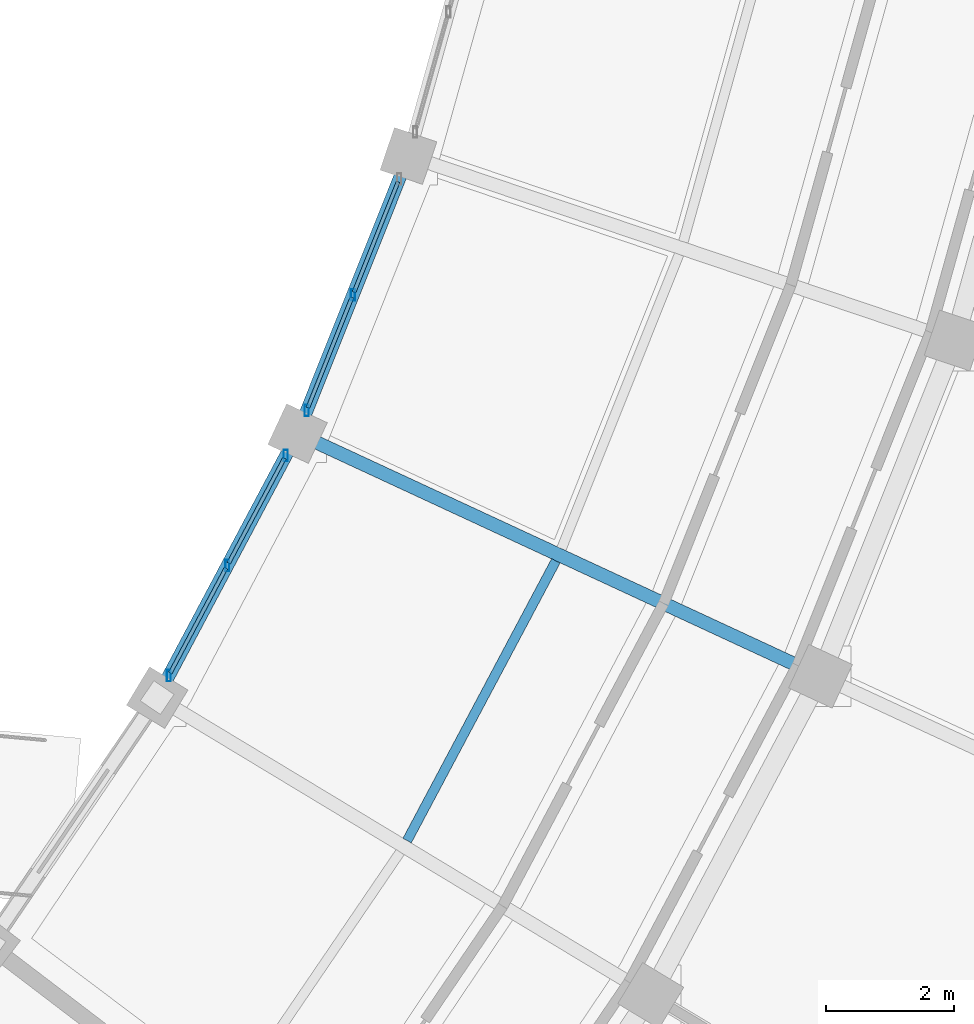
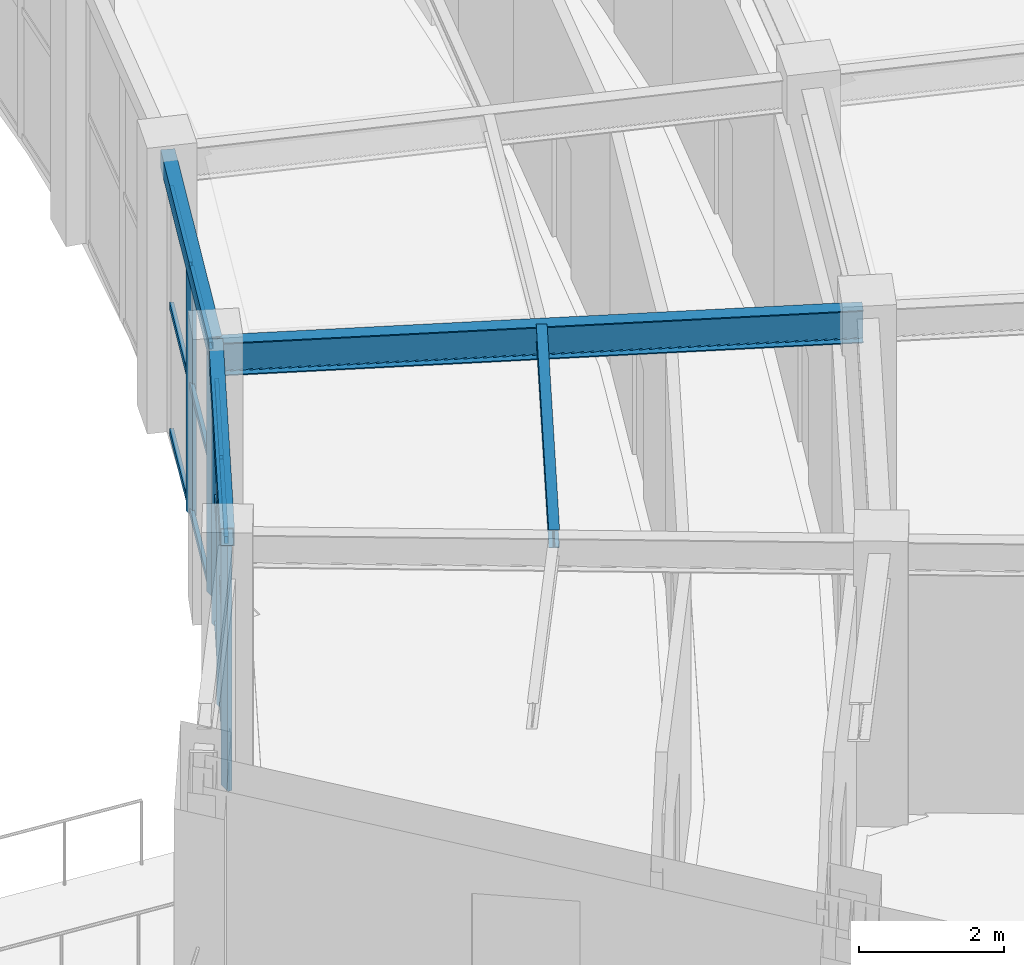
# One storey, part 55 of 100: 17 members, 4 beams, 2 elements without a shape of their own.
"""IFC4 building model written with IfcOpenShell, lengths in metres."""

from ifc_helpers import new_model, si_unit, direction, frame, origin, origin_2d, place, context, subcontext, project, spatial, hollow_rectangle, i_section, extrude, material, material_profile, profile_set, type_object, element, aggregate, save


model = new_model("IFC4")

# Units and contexts
model_context = context("Model", 3, precision=1e-05, world=origin(), true_north=direction((0.0, 1.0)))
body_context = subcontext(model_context, "Body", "Model", "MODEL_VIEW")
ifc_project = project(units=[si_unit("LENGTHUNIT", "METRE"), si_unit("AREAUNIT", "SQUARE_METRE"), si_unit("VOLUMEUNIT", "CUBIC_METRE"), si_unit("PLANEANGLEUNIT", "RADIAN"), si_unit("MASSUNIT", "GRAM", prefix="KILO")], contexts=[model_context])

# Site, building, storey
site_placement = place(None, origin())
site = spatial("IfcSite", under=ifc_project, at=site_placement, CompositionType="ELEMENT")
building_placement = place(site_placement, origin())
building = spatial("IfcBuilding", under=site, at=building_placement, Name="Tarnveldt Headland Concert Hall", CompositionType="ELEMENT")
storey_placement = place(building_placement, frame((0.0, 0.0, 4.800048828125)))
storey = spatial("IfcBuildingStorey", under=building, at=storey_placement, Name="L01", CompositionType="ELEMENT", Elevation=4.800048828125)

# Curtain wall, members
ifc_material_1 = material(Name="Marine-anodised aluminium EN AW-6063-T6", Category="aluminium")
curtain_wall_type = type_object("IfcCurtainWallType", Name="CW-C2", PredefinedType="NOTDEFINED", material=ifc_material_1)
curtain_wall_1_placement = place(storey_placement, origin())
curtain_wall_1 = element("IfcCurtainWall", 1, at=curtain_wall_1_placement, inside=storey, type_object=curtain_wall_type, Name="Curtain wall CW-L01-109", PredefinedType="NOTDEFINED")
ifc_material_profile_1 = material_profile(ifc_material_1, hollow_rectangle(XDim=0.06494140625, YDim=0.179931640625, WallThickness=0.00390625, at=origin_2d()), Name="ALU MULLION 65x180x4", Category="aluminium")
ifc_profile_set_1 = profile_set([ifc_material_profile_1], Name="Marine-anodised aluminium EN AW-6063-T6")
member_type_1 = type_object("IfcMemberType", Name="ML-180", PredefinedType="MULLION", material=ifc_profile_set_1)
member_1_placement = place(storey_placement, frame((154.498291015625, 38.126220703125, 0.0), z_axis=(0.0, 0.0, 1.0), x_axis=(1.0, 0.0, 0.0)))
member_1 = element("IfcMember", 2, at=member_1_placement, type_object=member_type_1, Name="Mullion CW-L01-109-1", PredefinedType="MULLION", context=body_context, shape_type="SweptSolid", body=[
    extrude(hollow_rectangle(XDim=0.06494140625, YDim=0.179931640625, WallThickness=0.00390625, at=origin_2d()), origin(), (0.0, 0.0, 1.0), 4.179931640625),
])
member_2_placement = place(storey_placement, frame((155.410888671875, 39.84228515625, 0.0), z_axis=(0.0, 0.0, 1.0), x_axis=(1.0, 0.0, 0.0)))
member_2 = element("IfcMember", 3, at=member_2_placement, type_object=member_type_1, Name="Mullion CW-L01-109-2", PredefinedType="MULLION", context=body_context, shape_type="SweptSolid", body=[
    extrude(hollow_rectangle(XDim=0.06494140625, YDim=0.179931640625, WallThickness=0.00390625, at=origin_2d()), origin(), (0.0, 0.0, 1.0), 4.179931640625),
])
member_3_placement = place(storey_placement, frame((156.3232421875, 41.55859375, 0.0), z_axis=(0.0, 0.0, 1.0), x_axis=(1.0, 0.0, 0.0)))
member_3 = element("IfcMember", 4, at=member_3_placement, type_object=member_type_1, Name="Mullion CW-L01-109-3", PredefinedType="MULLION", context=body_context, shape_type="SweptSolid", body=[
    extrude(hollow_rectangle(XDim=0.06494140625, YDim=0.179931640625, WallThickness=0.00390625, at=origin_2d()), origin(), (0.0, 0.0, 1.0), 4.179931640625),
])

curtain_wall_2_placement = place(storey_placement, origin())
curtain_wall_2 = element("IfcCurtainWall", 5, at=curtain_wall_2_placement, inside=storey, type_object=curtain_wall_type, Name="Curtain wall CW-L01-110", PredefinedType="NOTDEFINED")
member_4_placement = place(storey_placement, frame((156.651123046875, 42.26513671875, 0.0), z_axis=(0.0, 0.0, 1.0), x_axis=(1.0, 0.0, 0.0)))
member_4 = element("IfcMember", 6, at=member_4_placement, type_object=member_type_1, Name="Mullion CW-L01-110-1", PredefinedType="MULLION", context=body_context, shape_type="SweptSolid", body=[
    extrude(hollow_rectangle(XDim=0.06494140625, YDim=0.179931640625, WallThickness=0.00390625, at=origin_2d()), origin(), (0.0, 0.0, 1.0), 4.179931640625),
])
member_5_placement = place(storey_placement, frame((157.372314453125, 44.070068359375, 0.0), z_axis=(0.0, 0.0, 1.0), x_axis=(1.0, 0.0, 0.0)))
member_5 = element("IfcMember", 7, at=member_5_placement, type_object=member_type_1, Name="Mullion CW-L01-110-2", PredefinedType="MULLION", context=body_context, shape_type="SweptSolid", body=[
    extrude(hollow_rectangle(XDim=0.06494140625, YDim=0.179931640625, WallThickness=0.00390625, at=origin_2d()), origin(), (0.0, 0.0, 1.0), 4.179931640625),
])

# Beams
ifc_material_2 = material(Name="Steel S355", Category="steel")
ifc_material_profile_2 = material_profile(ifc_material_2, i_section(OverallWidth=0.14990234375, OverallDepth=0.300048828125, WebThickness=0.007080078125, FlangeThickness=0.0107421875, FilletRadius=0.014892578125, at=origin_2d()), Name="IPE300", Category="steel")
ifc_profile_set_2 = profile_set([ifc_material_profile_2], Name="Steel S355")
beam_type_1 = type_object("IfcBeamType", Name="SB-IPE300", PredefinedType="JOIST", material=ifc_profile_set_2)
beam_1_placement = place(storey_placement, frame((158.21728515625, 35.549560546875, 4.43994140625), z_axis=(0.469483623022, 0.882941180212, 0.0), x_axis=(-0.882941180212, 0.469483623022, 0.0)))
element("IfcBeam", 8, at=beam_1_placement, inside=storey, type_object=beam_type_1, Name="Framing beam L01-768", PredefinedType="JOIST", context=body_context, shape_type="SweptSolid", body=[
    extrude(i_section(OverallWidth=0.14990234375, OverallDepth=0.300048828125, WebThickness=0.007080078125, FlangeThickness=0.0107421875, FilletRadius=0.014892578125, at=origin_2d()), origin(), (0.0, 0.0, 1.0), 4.94580078125),
])
ifc_material_profile_3 = material_profile(ifc_material_2, i_section(OverallWidth=0.2099609375, OverallDepth=0.550048828125, WebThickness=0.010986328125, FlangeThickness=0.01708984375, FilletRadius=0.02392578125, at=origin_2d()), Name="IPE550", Category="steel")
ifc_profile_set_3 = profile_set([ifc_material_profile_3], Name="Steel S355")
beam_type_2 = type_object("IfcBeamType", Name="SB-IPE550", PredefinedType="BEAM", material=ifc_profile_set_3)
beam_2_placement = place(storey_placement, frame((156.560791015625, 41.877685546875, 4.264892578125), z_axis=(0.907136064141, -0.420837452153, 0.0), x_axis=(0.420837452153, 0.907136064141, 0.0)))
element("IfcBeam", 9, at=beam_2_placement, inside=storey, type_object=beam_type_2, Name="Framing beam L01-770", PredefinedType="BEAM", context=body_context, shape_type="SweptSolid", body=[
    extrude(i_section(OverallWidth=0.2099609375, OverallDepth=0.550048828125, WebThickness=0.010986328125, FlangeThickness=0.01708984375, FilletRadius=0.02392578125, at=origin_2d()), origin(), (0.0, 0.0, 1.0), 8.880126953125),
])
ifc_material_profile_4 = material_profile(ifc_material_2, hollow_rectangle(XDim=0.199951171875, YDim=0.300048828125, WallThickness=0.012451171875, at=origin_2d()), Name="RHS 300x200x12.5", Category="steel")
ifc_profile_set_4 = profile_set([ifc_material_profile_4], Name="Steel S355")
beam_type_3 = type_object("IfcBeamType", Name="SB-RHS300", PredefinedType="SPANDREL", material=ifc_profile_set_4)
for number, where, z_axis, x_axis, name in (
    (10, (154.343505859375, 37.8349609375, 4.43994140625), (0.469450914916, 0.882958571216, 0.0), (-0.882958571216, 0.469450914916, 0.0), "Framing beam L01-765"),
    (11, (156.52880859375, 41.958740234375, 4.389892578125), (0.370983353144, 0.928639516546, 0.0), (-0.928639516546, 0.370983353144, 0.0), "Framing beam L01-772"),
):
    element("IfcBeam", number, at=place(storey_placement, frame(where, z_axis=z_axis, x_axis=x_axis)), inside=storey, type_object=beam_type_3, Name=name, PredefinedType="SPANDREL", context=body_context, shape_type="SweptSolid", body=[
        extrude(hollow_rectangle(XDim=0.199951171875, YDim=0.300048828125, WallThickness=0.012451171875, at=origin_2d()), origin(), (0.0, 0.0, 1.0), 4.54736328125),
    ])

# Member
ifc_material_profile_5 = material_profile(ifc_material_1, hollow_rectangle(XDim=0.06005859375, YDim=0.1201171875, WallThickness=0.00390625, at=origin_2d()), Name="ALU TRANSOM 60x120x4", Category="aluminium")
ifc_profile_set_5 = profile_set([ifc_material_profile_5], Name="Marine-anodised aluminium EN AW-6063-T6")
member_type_2 = type_object("IfcMemberType", Name="TR-110", PredefinedType="MEMBER", material=ifc_profile_set_5)
member_6_placement = place(storey_placement, frame((154.519287109375, 38.16552734375, 0.050048828125), z_axis=(0.469399022669, 0.882986159301, 0.0), x_axis=(-0.882986159301, 0.469399022669, 0.0)))
member_6 = element("IfcMember", 12, at=member_6_placement, type_object=member_type_2, Name="Transom CW-L01-109-1-1", PredefinedType="MEMBER", context=body_context, shape_type="SweptSolid", body=[
    extrude(hollow_rectangle(XDim=0.06005859375, YDim=0.1201171875, WallThickness=0.00390625, at=origin_2d()), origin(), (0.0, 0.0, 1.0), 1.854736328125),
])

member_7_placement = place(storey_placement, frame((154.519287109375, 38.16552734375, 2.173583984375), z_axis=(0.469399022669, 0.882986159301, 0.0), x_axis=(-0.882986159301, 0.469399022669, 0.0)))
member_7 = element("IfcMember", 13, at=member_7_placement, type_object=member_type_2, Name="Transom CW-L01-109-1-2", PredefinedType="MEMBER", context=body_context, shape_type="SweptSolid", body=[
    extrude(hollow_rectangle(XDim=0.06005859375, YDim=0.1201171875, WallThickness=0.00390625, at=origin_2d()), origin(), (0.0, 0.0, 1.0), 1.854736328125),
])

member_8_placement = place(storey_placement, frame((154.519287109375, 38.16552734375, 4.1298828125), z_axis=(0.469399022669, 0.882986159301, 0.0), x_axis=(-0.882986159301, 0.469399022669, 0.0)))
member_8 = element("IfcMember", 14, at=member_8_placement, type_object=member_type_2, Name="Transom CW-L01-109-1-3", PredefinedType="MEMBER", context=body_context, shape_type="SweptSolid", body=[
    extrude(hollow_rectangle(XDim=0.06005859375, YDim=0.1201171875, WallThickness=0.00390625, at=origin_2d()), origin(), (0.0, 0.0, 1.0), 1.854736328125),
])

member_9_placement = place(storey_placement, frame((155.431640625, 39.881591796875, 0.050048828125), z_axis=(0.469501641812, 0.8829315989, 0.0), x_axis=(-0.8829315989, 0.469501641812, 0.0)))
member_9 = element("IfcMember", 15, at=member_9_placement, type_object=member_type_2, Name="Transom CW-L01-109-2-1", PredefinedType="MEMBER", context=body_context, shape_type="SweptSolid", body=[
    extrude(hollow_rectangle(XDim=0.06005859375, YDim=0.1201171875, WallThickness=0.00390625, at=origin_2d()), origin(), (0.0, 0.0, 1.0), 1.854736328125),
])

member_10_placement = place(storey_placement, frame((155.431640625, 39.881591796875, 2.173583984375), z_axis=(0.469501641812, 0.8829315989, 0.0), x_axis=(-0.8829315989, 0.469501641812, 0.0)))
member_10 = element("IfcMember", 16, at=member_10_placement, type_object=member_type_2, Name="Transom CW-L01-109-2-2", PredefinedType="MEMBER", context=body_context, shape_type="SweptSolid", body=[
    extrude(hollow_rectangle(XDim=0.06005859375, YDim=0.1201171875, WallThickness=0.00390625, at=origin_2d()), origin(), (0.0, 0.0, 1.0), 1.854736328125),
])

member_11_placement = place(storey_placement, frame((155.431640625, 39.881591796875, 4.1298828125), z_axis=(0.469501641812, 0.8829315989, 0.0), x_axis=(-0.8829315989, 0.469501641812, 0.0)))
member_11 = element("IfcMember", 17, at=member_11_placement, type_object=member_type_2, Name="Transom CW-L01-109-2-3", PredefinedType="MEMBER", context=body_context, shape_type="SweptSolid", body=[
    extrude(hollow_rectangle(XDim=0.06005859375, YDim=0.1201171875, WallThickness=0.00390625, at=origin_2d()), origin(), (0.0, 0.0, 1.0), 1.854736328125),
])

aggregate(curtain_wall_1, [member_1, member_2, member_3, member_6, member_7, member_8, member_9, member_10, member_11])

member_12_placement = place(storey_placement, frame((156.66748046875, 42.306396484375, 0.050048828125), z_axis=(0.371050242491, 0.928612792044, 0.0), x_axis=(-0.928612792044, 0.371050242491, 0.0)))
member_12 = element("IfcMember", 18, at=member_12_placement, type_object=member_type_2, Name="Transom CW-L01-110-1-1", PredefinedType="MEMBER", context=body_context, shape_type="SweptSolid", body=[
    extrude(hollow_rectangle(XDim=0.06005859375, YDim=0.1201171875, WallThickness=0.00390625, at=origin_2d()), origin(), (0.0, 0.0, 1.0), 1.854736328125),
])

member_13_placement = place(storey_placement, frame((156.66748046875, 42.306396484375, 2.173583984375), z_axis=(0.371050242491, 0.928612792044, 0.0), x_axis=(-0.928612792044, 0.371050242491, 0.0)))
member_13 = element("IfcMember", 19, at=member_13_placement, type_object=member_type_2, Name="Transom CW-L01-110-1-2", PredefinedType="MEMBER", context=body_context, shape_type="SweptSolid", body=[
    extrude(hollow_rectangle(XDim=0.06005859375, YDim=0.1201171875, WallThickness=0.00390625, at=origin_2d()), origin(), (0.0, 0.0, 1.0), 1.854736328125),
])

member_14_placement = place(storey_placement, frame((156.66748046875, 42.306396484375, 4.1298828125), z_axis=(0.371050242491, 0.928612792044, 0.0), x_axis=(-0.928612792044, 0.371050242491, 0.0)))
member_14 = element("IfcMember", 20, at=member_14_placement, type_object=member_type_2, Name="Transom CW-L01-110-1-3", PredefinedType="MEMBER", context=body_context, shape_type="SweptSolid", body=[
    extrude(hollow_rectangle(XDim=0.06005859375, YDim=0.1201171875, WallThickness=0.00390625, at=origin_2d()), origin(), (0.0, 0.0, 1.0), 1.854736328125),
])

member_15_placement = place(storey_placement, frame((157.388916015625, 44.111572265625, 0.050048828125), z_axis=(0.370982079825, 0.928640025225, 0.0), x_axis=(-0.928640025225, 0.370982079825, 0.0)))
member_15 = element("IfcMember", 21, at=member_15_placement, type_object=member_type_2, Name="Transom CW-L01-110-2-1", PredefinedType="MEMBER", context=body_context, shape_type="SweptSolid", body=[
    extrude(hollow_rectangle(XDim=0.06005859375, YDim=0.1201171875, WallThickness=0.00390625, at=origin_2d()), origin(), (0.0, 0.0, 1.0), 1.8544921875),
])

member_16_placement = place(storey_placement, frame((157.388916015625, 44.111572265625, 2.173583984375), z_axis=(0.370982079825, 0.928640025225, 0.0), x_axis=(-0.928640025225, 0.370982079825, 0.0)))
member_16 = element("IfcMember", 22, at=member_16_placement, type_object=member_type_2, Name="Transom CW-L01-110-2-2", PredefinedType="MEMBER", context=body_context, shape_type="SweptSolid", body=[
    extrude(hollow_rectangle(XDim=0.06005859375, YDim=0.1201171875, WallThickness=0.00390625, at=origin_2d()), origin(), (0.0, 0.0, 1.0), 1.8544921875),
])

member_17_placement = place(storey_placement, frame((157.388916015625, 44.111572265625, 4.1298828125), z_axis=(0.370982079825, 0.928640025225, 0.0), x_axis=(-0.928640025225, 0.370982079825, 0.0)))
member_17 = element("IfcMember", 23, at=member_17_placement, type_object=member_type_2, Name="Transom CW-L01-110-2-3", PredefinedType="MEMBER", context=body_context, shape_type="SweptSolid", body=[
    extrude(hollow_rectangle(XDim=0.06005859375, YDim=0.1201171875, WallThickness=0.00390625, at=origin_2d()), origin(), (0.0, 0.0, 1.0), 1.8544921875),
])

aggregate(curtain_wall_2, [member_4, member_5, member_12, member_13, member_14, member_15, member_16, member_17])

save(model, "model.ifc")
